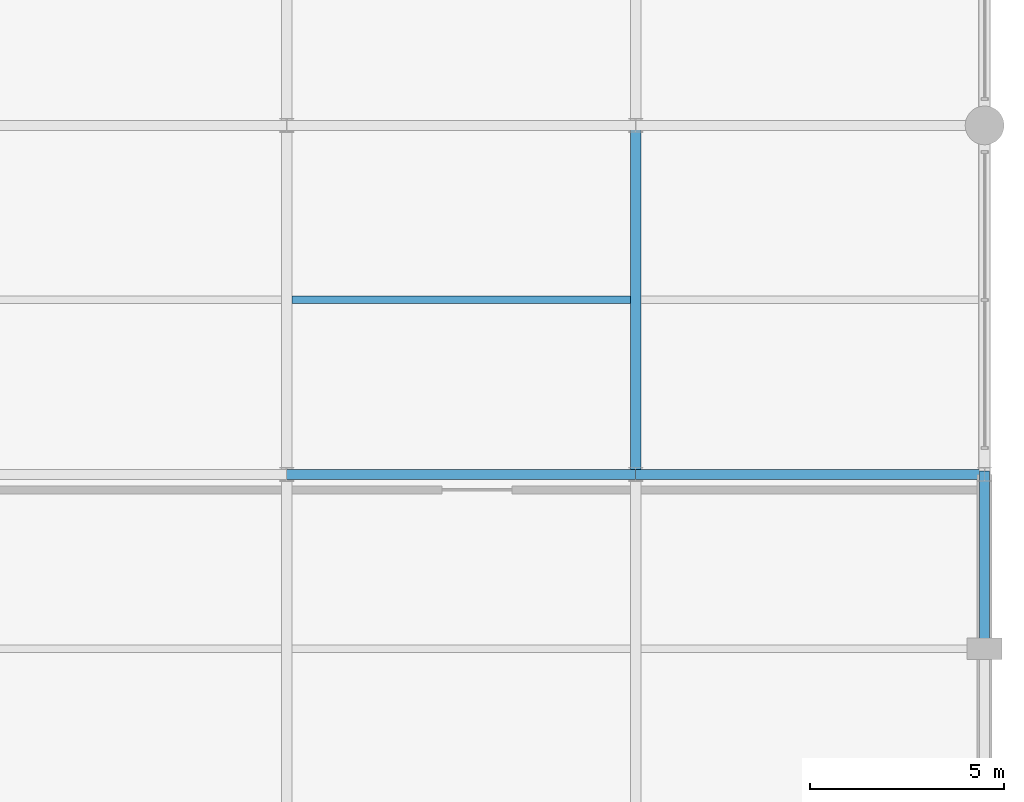
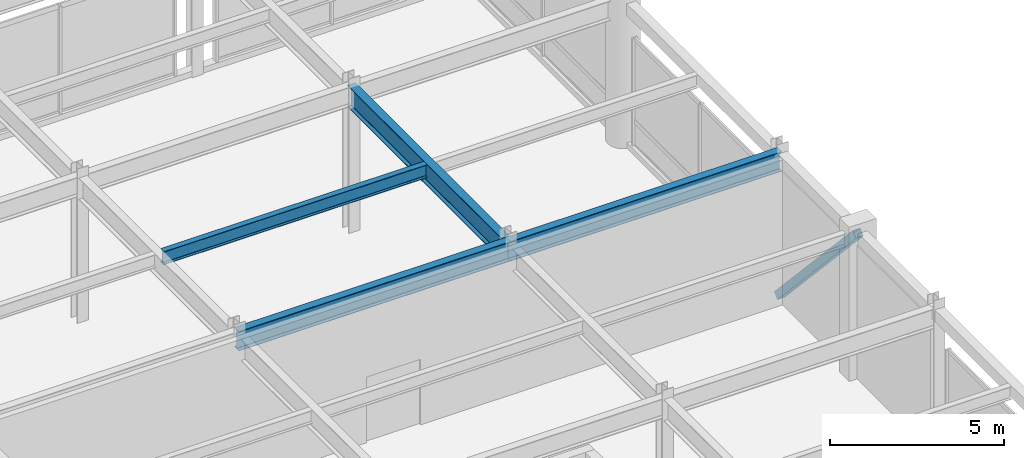
# One storey, part 46 of 100: 4 beams, 1 member.
"""IFC4 building model written with IfcOpenShell, lengths in metres."""

from ifc_helpers import new_model, si_unit, direction, frame, origin, origin_2d, place, context, subcontext, project, spatial, hollow_rectangle, i_section, extrude, material, material_profile, profile_set, type_object, element, save


model = new_model("IFC4")

# Units and contexts
model_context = context("Model", 3, precision=1e-05, world=origin(), true_north=direction((0.0, 1.0)))
body_context = subcontext(model_context, "Body", "Model", "MODEL_VIEW")
ifc_project = project(units=[si_unit("LENGTHUNIT", "METRE"), si_unit("AREAUNIT", "SQUARE_METRE"), si_unit("VOLUMEUNIT", "CUBIC_METRE"), si_unit("PLANEANGLEUNIT", "RADIAN"), si_unit("MASSUNIT", "GRAM", prefix="KILO")], contexts=[model_context])

# Site, building, storey
site_placement = place(None, origin())
site = spatial("IfcSite", under=ifc_project, at=site_placement, CompositionType="ELEMENT")
building_placement = place(site_placement, origin())
building = spatial("IfcBuilding", under=site, at=building_placement, Name="Kaldorvane Square Convention Centre", CompositionType="ELEMENT")
storey_placement = place(building_placement, frame((0.0, 0.0, 18.0)))
storey = spatial("IfcBuildingStorey", under=building, at=storey_placement, Name="L03", CompositionType="ELEMENT", Elevation=18.0)

# Beams
ifc_material_1 = material(Name="Steel ASTM A992 Gr. 50", Category="steel")
ifc_material_profile_1 = material_profile(ifc_material_1, i_section(OverallWidth=0.25439453125, OverallDepth=0.6880950927734375, WebThickness=0.0131072998046875, FlangeThickness=0.0211029052734375, FilletRadius=0.01519775390625, at=origin_2d()), Name="W27X102")
ifc_profile_set_1 = profile_set([ifc_material_profile_1], Name="Steel ASTM A992 Gr. 50")
beam_type_1 = type_object("IfcBeamType", Name="BM-GR-W27X102", PredefinedType="BEAM", material=ifc_profile_set_1)
for number, where, z_axis, x_axis, name in (
    (1, (156.0, 18.0, 4.731903076171875), (1.0, 0.0, 0.0), (0.0, 1.0, 0.0), "Primary Girder (L03)"),
    (2, (165.0, 18.0, 4.731903076171875), (1.0, 0.0, 0.0), (0.0, 1.0, 0.0), "Primary Girder (L03)"),
):
    element("IfcBeam", number, at=place(storey_placement, frame(where, z_axis=z_axis, x_axis=x_axis)), inside=storey, type_object=beam_type_1, Name=name, PredefinedType="BEAM", context=body_context, shape_type="SweptSolid", body=[
        extrude(i_section(OverallWidth=0.25439453125, OverallDepth=0.6880950927734375, WebThickness=0.0131072998046875, FlangeThickness=0.0211029052734375, FilletRadius=0.01519775390625, at=origin_2d()), origin(), (0.0, 0.0, 1.0), 9.0),
    ])
ifc_material_profile_2 = material_profile(ifc_material_1, i_section(OverallWidth=0.2666015625, OverallDepth=0.762298583984375, WebThickness=0.014404296875, FlangeThickness=0.0216064453125, FilletRadius=0.0164947509765625, at=origin_2d()), Name="W30X116")
ifc_profile_set_2 = profile_set([ifc_material_profile_2], Name="Steel ASTM A992 Gr. 50")
beam_type_2 = type_object("IfcBeamType", Name="BM-GR-W30X116", PredefinedType="BEAM", material=ifc_profile_set_2)
beam_1_placement = place(storey_placement, frame((165.0, 18.0, 4.694793701171875), z_axis=(0.0, 1.0, 0.0), x_axis=(-1.0, 0.0, 0.0)))
element("IfcBeam", 3, at=beam_1_placement, inside=storey, type_object=beam_type_2, Name="Transverse Girder (L03)", PredefinedType="BEAM", context=body_context, shape_type="SweptSolid", body=[
    extrude(i_section(OverallWidth=0.2666015625, OverallDepth=0.762298583984375, WebThickness=0.014404296875, FlangeThickness=0.0216064453125, FilletRadius=0.0164947509765625, at=origin_2d()), origin(), (0.0, 0.0, 1.0), 9.0),
])
ifc_material_profile_3 = material_profile(ifc_material_1, i_section(OverallWidth=0.1912994384765625, OverallDepth=0.4600067138671875, WebThickness=0.0099029541015625, FlangeThickness=0.0160064697265625, FilletRadius=0.01019287109375, at=origin_2d()), Name="W18X55")
ifc_profile_set_3 = profile_set([ifc_material_profile_3], Name="Steel ASTM A992 Gr. 50")
beam_type_3 = type_object("IfcBeamType", Name="BM-JS-W18X55", PredefinedType="JOIST", material=ifc_profile_set_3)
beam_2_placement = place(storey_placement, frame((156.13330078125, 22.5, 4.8459930419921875), z_axis=(1.0, 0.0, 0.0), x_axis=(0.0, 1.0, 0.0)))
element("IfcBeam", 4, at=beam_2_placement, inside=storey, type_object=beam_type_3, Name="Secondary Floor Joist (L03)", PredefinedType="JOIST", context=body_context, shape_type="SweptSolid", body=[
    extrude(i_section(OverallWidth=0.1912994384765625, OverallDepth=0.4600067138671875, WebThickness=0.0099029541015625, FlangeThickness=0.0160064697265625, FilletRadius=0.01019287109375, at=origin_2d()), origin(), (0.0, 0.0, 1.0), 8.7333984375),
])

# Member
ifc_material_2 = material(Name="Steel ASTM A500 Gr. C", Category="steel")
ifc_material_profile_4 = material_profile(ifc_material_2, hollow_rectangle(XDim=0.253997802734375, YDim=0.253997802734375, WallThickness=0.0117950439453125, at=origin_2d()), Name="HSS10X10X1/2")
ifc_profile_set_4 = profile_set([ifc_material_profile_4], Name="Steel ASTM A500 Gr. C")
member_type = type_object("IfcMemberType", Name="MB-BR-HSS10", PredefinedType="BRACE", material=ifc_profile_set_4)
member_placement = place(storey_placement, frame((174.0, 18.0, 0.0), z_axis=(0.0, -0.678445192455, 0.73465101976), x_axis=(1.0, 0.0, 0.0)))
element("IfcMember", 5, at=member_placement, inside=storey, type_object=member_type, Name="Seismic Chevron Brace X174-B1B (L03)", PredefinedType="BRACE", context=body_context, shape_type="SweptSolid", body=[
    extrude(hollow_rectangle(XDim=0.253997802734375, YDim=0.253997802734375, WallThickness=0.0117950439453125, at=origin_2d()), origin(), (0.0, 0.0, 1.0), 6.6328125),
])

save(model, "model.ifc")
